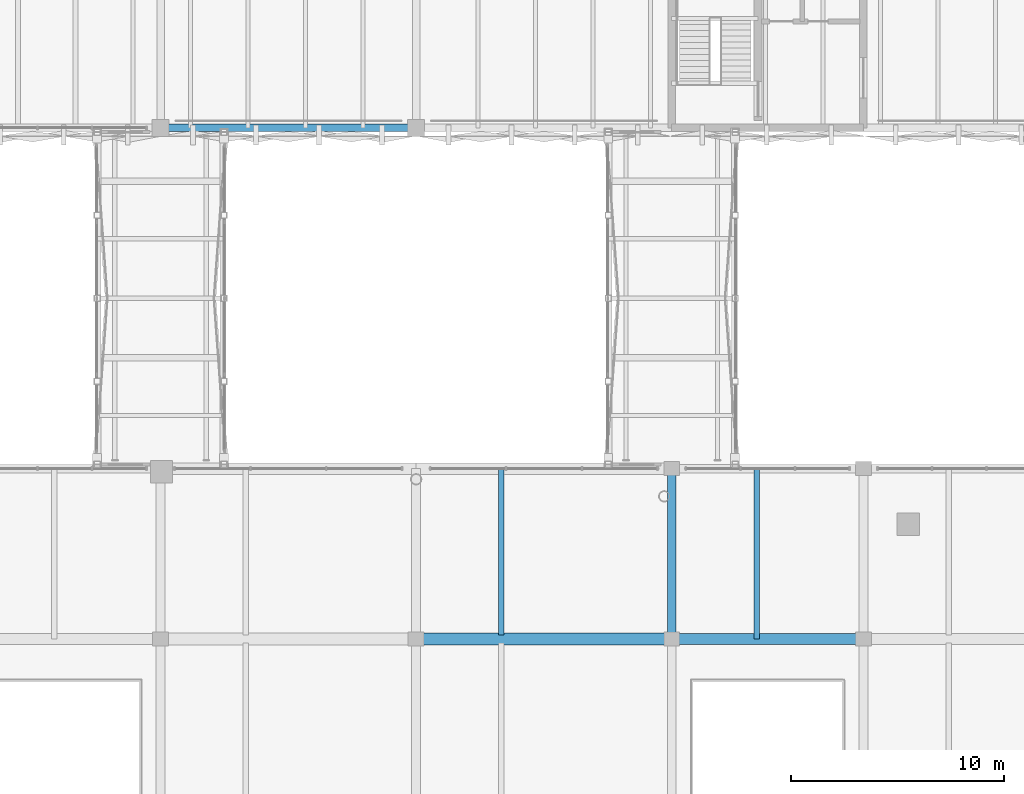
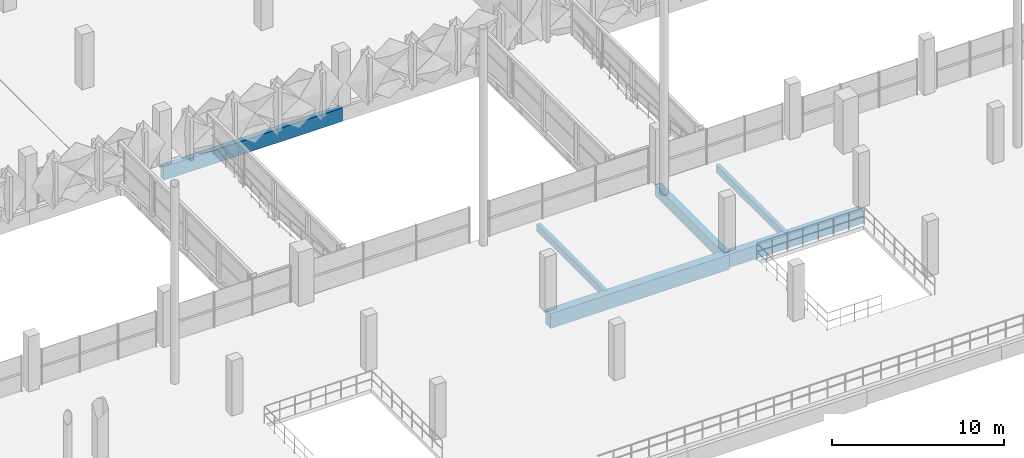
# One storey, part 35 of 123: 6 beams.
"""IFC4 building model written with IfcOpenShell, lengths in metres."""

import ifcopenshell
import ifcopenshell.guid

model = None  # the IFC model being written
_history = None  # IfcOwnerHistory: only IFC2X3 demands one
_inside = {}  # id of a spatial element -> (the spatial element, [elements in it])
_under = {}  # id of a project, library or spatial element -> (it, [spatial elements below it])
_declared = {}  # id of a project -> (the project, [libraries it declares])
_typed = {}  # id of a type object -> (the type object, [elements of that type])
_made_of = {}  # id of a material, layer set ... -> (it, [elements and type objects made of it])


def new_model(schema):
    """Start an empty IFC model of exactly this schema.

    Asked for "IFC4X3", IfcOpenShell would pick the latest addendum, in which some entities
    have other attributes; the version numbers below select the first issue.
    IFC2X3 requires an IfcOwnerHistory on every rooted entity: one is made here for all.
    """
    global model, _history
    if schema == "IFC4X3":
        model = ifcopenshell.file(schema_version=(4, 3, 0, 0))
    else:
        model = ifcopenshell.file(schema=schema)
    _inside.clear()
    _under.clear()
    _declared.clear()
    _typed.clear()
    _made_of.clear()
    _history = None
    if model.schema == "IFC2X3":
        org = make("IfcOrganization", Name="unknown")
        user = make(
            "IfcPersonAndOrganization",
            ThePerson=make("IfcPerson", FamilyName="unknown"),
            TheOrganization=org,
        )
        app = make(
            "IfcApplication",
            ApplicationDeveloper=org,
            Version="unknown",
            ApplicationFullName="unknown",
            ApplicationIdentifier="unknown",
        )
        _history = make(
            "IfcOwnerHistory",
            OwningUser=user,
            OwningApplication=app,
            ChangeAction="ADDED",
            CreationDate=0,
        )
    return model


def make(cls, **values):
    """One entity of the class cls with the attributes given. An attribute that is None is left unset."""
    return model.create_entity(
        cls, **{name: value for name, value in values.items() if value is not None}
    )


def rooted(cls, **values):
    """An entity with a GlobalId (a new one), such as an element, a storey or a relation."""
    return make(cls, GlobalId=ifcopenshell.guid.new(), OwnerHistory=_history, **values)


def si_unit(unit_type, name, prefix=None):
    """IfcSIUnit, for example si_unit("LENGTHUNIT", "METRE", prefix="MILLI")."""
    return make("IfcSIUnit", UnitType=unit_type, Prefix=prefix, Name=name)


def derived_unit(unit_type, elements):
    """IfcDerivedUnit: a product of units, each with its exponent."""
    return make(
        "IfcDerivedUnit",
        Elements=[
            make("IfcDerivedUnitElement", Unit=unit, Exponent=power)
            for unit, power in elements
        ],
        UnitType=unit_type,
    )


def assignment(units):
    """IfcUnitAssignment: the units of a project."""
    return None if units is None else make("IfcUnitAssignment", Units=units)


def point(xyz):
    """IfcCartesianPoint."""
    return None if xyz is None else make("IfcCartesianPoint", Coordinates=xyz)


def direction(xyz):
    """IfcDirection."""
    return None if xyz is None else make("IfcDirection", DirectionRatios=xyz)


def frame(location, z_axis=None, x_axis=None):
    """IfcAxis2Placement3D, a coordinate frame: its origin and axes. An axis left out is left unset."""
    return make(
        "IfcAxis2Placement3D",
        Location=point(location),
        Axis=direction(z_axis),
        RefDirection=direction(x_axis),
    )


def frame_2d(location, x_axis=None):
    """IfcAxis2Placement2D, a coordinate frame in the plane: its origin and x axis."""
    return make(
        "IfcAxis2Placement2D", Location=point(location), RefDirection=direction(x_axis)
    )


def origin():
    """The frame at (0, 0, 0) with its axes left unset."""
    return frame((0.0, 0.0, 0.0))


def origin_2d():
    """The frame at (0, 0) in the plane with its x axis left unset."""
    return frame_2d((0.0, 0.0))


def place(relative_to, where):
    """IfcLocalPlacement: puts the frame where relative to a parent placement (None: the world)."""
    return make(
        "IfcLocalPlacement", PlacementRelTo=relative_to, RelativePlacement=where
    )


def context(
    kind, dimensions, precision=None, world=None, true_north=None, identifier=None
):
    """IfcGeometricRepresentationContext, for example the 3D "Model" context."""
    return make(
        "IfcGeometricRepresentationContext",
        ContextIdentifier=identifier,
        ContextType=kind,
        CoordinateSpaceDimension=dimensions,
        Precision=precision,
        WorldCoordinateSystem=world,
        TrueNorth=true_north,
    )


def subcontext(parent, identifier, kind, view, scale=None):
    """IfcGeometricRepresentationSubContext, for example "Body" below "Model"."""
    return make(
        "IfcGeometricRepresentationSubContext",
        ContextIdentifier=identifier,
        ContextType=kind,
        ParentContext=parent,
        TargetScale=scale,
        TargetView=view,
    )


def project(units=None, contexts=None):
    """IfcProject with its units and contexts."""
    return rooted(
        "IfcProject",
        Name="project",
        RepresentationContexts=contexts,
        UnitsInContext=assignment(units),
    )


def spatial(cls, under=None, at=None, **own):
    """A site, building, storey or space (cls), placed at a placement, below another one or the project."""
    s = rooted(cls, ObjectPlacement=at, **own)
    if under is not None:
        _under.setdefault(under.id(), (under, []))[1].append(s)
    return s


def profile(cls, at=None, kind="AREA", **sizes):
    """A parametric profile (cls). Its sizes go by their IFC names, for example OverallWidth=200.0."""
    return make(cls, ProfileType=kind, Position=at, **sizes)


def rectangle(**sizes):
    """IfcRectangleProfileDef."""
    return profile("IfcRectangleProfileDef", **sizes)


def extrude(swept, where, along, depth):
    """IfcExtrudedAreaSolid: the profile swept, set in the frame where, extruded along a direction by depth."""
    return make(
        "IfcExtrudedAreaSolid",
        SweptArea=swept,
        Position=where,
        ExtrudedDirection=direction(along),
        Depth=depth,
    )


def shape(context_of_items, identifier, shape_type, items):
    """IfcShapeRepresentation: the items that make up one representation, for example the "Body"."""
    return make(
        "IfcShapeRepresentation",
        ContextOfItems=context_of_items,
        RepresentationIdentifier=identifier,
        RepresentationType=shape_type,
        Items=items,
    )


def material(Name=None, Category=None):
    """IfcMaterial."""
    return make("IfcMaterial", Name=Name, Category=Category)


def material_profile(
    of_material, cross_section, Name=None, Category=None, Priority=None
):
    """IfcMaterialProfile: a cross section and its material."""
    return make(
        "IfcMaterialProfile",
        Name=Name,
        Material=of_material,
        Profile=cross_section,
        Priority=Priority,
        Category=Category,
    )


def profile_set(profiles, Name=None, composite=None):
    """IfcMaterialProfileSet."""
    return make(
        "IfcMaterialProfileSet",
        Name=Name,
        MaterialProfiles=profiles,
        CompositeProfile=composite,
    )


def made_of(thing, what):
    """Note that an element or type object is made of a material, layer set ...; save() writes the relation."""
    if what is not None:
        _made_of.setdefault(what.id(), (what, []))[1].append(thing)
    return thing


def type_object(cls, material=None, **own):
    """A type object (cls), such as IfcWallType, which elements share."""
    return made_of(rooted(cls, **own), material)


def element(
    cls,
    number,
    at=None,
    inside=None,
    cuts=None,
    type_object=None,
    material=None,
    context=None,
    identifier="Body",
    shape_type=None,
    held_by="IfcProductDefinitionShape",
    body=None,
    shapes=None,
    **own,
):
    """One element of the class cls, such as IfcWall. Its Tag is "e" and its number.

    at: its placement. inside: the storey or other place that contains it. cuts: it is an
    opening in that element (IfcRelVoidsElement). A single representation is given by context,
    identifier, shape_type and body (its items); several are given by shapes. held_by: the class
    of the entity that holds the representations. save() writes the other relations.
    """
    e = rooted(cls, Tag="e%d" % number, ObjectPlacement=at, **own)
    if body is not None:
        shapes = [shape(context, identifier, shape_type, body)]
    if shapes is not None:
        e.Representation = make(held_by, Representations=shapes)
    if inside is not None:
        _inside.setdefault(inside.id(), (inside, []))[1].append(e)
    if cuts is not None:
        rooted(
            "IfcRelVoidsElement", RelatingBuildingElement=cuts, RelatedOpeningElement=e
        )
    if type_object is not None:
        _typed.setdefault(type_object.id(), (type_object, []))[1].append(e)
    return made_of(e, material)


def aggregate(whole, parts):
    """IfcRelAggregates: a whole, such as a stair, and the parts it consists of."""
    return rooted("IfcRelAggregates", RelatingObject=whole, RelatedObjects=parts)


def save(model, path):
    """Write the relations noted so far, then the file.

    IfcRelAggregates (storeys below a building ...), IfcRelContainedInSpatialStructure (elements
    in a storey), IfcRelDefinesByType, IfcRelAssociatesMaterial and IfcRelDeclares: one each for
    every whole, place, type object, material and project.
    """
    for whole, parts in _under.values():
        aggregate(whole, parts)
    for where, things in _inside.values():
        rooted(
            "IfcRelContainedInSpatialStructure",
            RelatedElements=things,
            RelatingStructure=where,
        )
    for kind, things in _typed.values():
        rooted("IfcRelDefinesByType", RelatedObjects=things, RelatingType=kind)
    for what, things in _made_of.values():
        rooted("IfcRelAssociatesMaterial", RelatedObjects=things, RelatingMaterial=what)
    for by, libraries in _declared.values():
        rooted("IfcRelDeclares", RelatingContext=by, RelatedDefinitions=libraries)
    model.write(path)


model = new_model("IFC4")

# Units and contexts
model_context = context("Model", 3, precision=1e-05, world=origin(), true_north=direction((0.0, 1.0)))
body_context = subcontext(model_context, "Body", "Model", "MODEL_VIEW")
ifc_project = project(units=[si_unit("LENGTHUNIT", "METRE"), si_unit("AREAUNIT", "SQUARE_METRE"), si_unit("VOLUMEUNIT", "CUBIC_METRE"), si_unit("PLANEANGLEUNIT", "RADIAN"), si_unit("MASSUNIT", "GRAM", prefix="KILO"), si_unit("THERMODYNAMICTEMPERATUREUNIT", "KELVIN"), derived_unit("THERMALTRANSMITTANCEUNIT", [(si_unit("POWERUNIT", "WATT"), 1), (si_unit("AREAUNIT", "SQUARE_METRE"), -1), (si_unit("THERMODYNAMICTEMPERATUREUNIT", "KELVIN"), -1)])], contexts=[model_context])

# Site, building, storey
site_placement = place(None, origin())
site = spatial("IfcSite", under=ifc_project, at=site_placement, CompositionType="ELEMENT")
building_placement = place(site_placement, origin())
building = spatial("IfcBuilding", under=site, at=building_placement, Name="Haiyu Intermodal Mobility Hub", CompositionType="ELEMENT")
storey_placement = place(building_placement, frame((0.0, 0.0, 5.60009765625)))
storey = spatial("IfcBuildingStorey", under=building, at=storey_placement, Name="L01", CompositionType="ELEMENT", Elevation=5.60009765625)

# Beams
ifc_material_1 = material(Name="Concrete C40", Category="concrete")
ifc_material_profile_1 = material_profile(ifc_material_1, rectangle(XDim=0.5, YDim=0.949951171875, at=origin_2d()), Name="RCB500x950")
ifc_profile_set_1 = profile_set([ifc_material_profile_1], Name="Concrete C40")
beam_type_1 = type_object("IfcBeamType", Name="BM-CB01", PredefinedType="BEAM", material=ifc_profile_set_1)
beam_1_placement = place(storey_placement, frame((120.0, 80.0, -0.735107421875), z_axis=(1.0, 0.0, 0.0), x_axis=(0.0, 1.0, 0.0)))
element("IfcBeam", 1, at=beam_1_placement, inside=storey, type_object=beam_type_1, Name="BM-V1G-L01-027", PredefinedType="BEAM", context=body_context, shape_type="SweptSolid", body=[
    extrude(rectangle(XDim=0.5, YDim=0.949951171875, at=origin_2d()), origin(), (0.0, 0.0, 1.0), 9.0),
])
ifc_material_profile_2 = material_profile(ifc_material_1, rectangle(XDim=0.550048828125, YDim=1.050048828125, at=origin_2d()), Name="B550x1050")
ifc_profile_set_2 = profile_set([ifc_material_profile_2], Name="Concrete C40")
beam_type_2 = type_object("IfcBeamType", Name="BM-CB12", PredefinedType="BEAM", material=ifc_profile_set_2)
beam_2_placement = place(storey_placement, frame((108.0, 80.0, -0.78515625), z_axis=(1.0, 0.0, 0.0), x_axis=(0.0, 1.0, 0.0)))
element("IfcBeam", 2, at=beam_2_placement, inside=storey, type_object=beam_type_2, Name="BM-V1G-L01-026", PredefinedType="BEAM", context=body_context, shape_type="SweptSolid", body=[
    extrude(rectangle(XDim=0.550048828125, YDim=1.050048828125, at=origin_2d()), origin(), (0.0, 0.0, 1.0), 12.0),
])
ifc_material_profile_3 = material_profile(ifc_material_1, rectangle(XDim=0.419921875, YDim=0.780029296875, at=origin_2d()), Name="B420x780")
ifc_profile_set_3 = profile_set([ifc_material_profile_3], Name="Concrete C40")
beam_type_3 = type_object("IfcBeamType", Name="BM-CB14", PredefinedType="BEAM", material=ifc_profile_set_3)
beam_3_placement = place(storey_placement, frame((120.0, 80.0, -0.650146484375), z_axis=(0.0, 1.0, 0.0), x_axis=(-1.0, 0.0, 0.0)))
element("IfcBeam", 3, at=beam_3_placement, inside=storey, type_object=beam_type_3, Name="BM-V1T-L01-021", PredefinedType="BEAM", context=body_context, shape_type="SweptSolid", body=[
    extrude(rectangle(XDim=0.419921875, YDim=0.780029296875, at=origin_2d()), origin(), (0.0, 0.0, 1.0), 8.0),
])
ifc_material_profile_4 = material_profile(ifc_material_1, rectangle(XDim=0.260009765625, YDim=0.52001953125, at=origin_2d()), Name="B260x520")
ifc_profile_set_4 = profile_set([ifc_material_profile_4], Name="Concrete C40")
beam_type_4 = type_object("IfcBeamType", Name="BM-CB18", PredefinedType="JOIST", material=ifc_profile_set_4)
beam_4_placement = place(storey_placement, frame((112.0, 80.195068359375, -0.52001953125), z_axis=(0.0, 1.0, 0.0), x_axis=(-1.0, 0.0, 0.0)))
element("IfcBeam", 4, at=beam_4_placement, inside=storey, type_object=beam_type_4, Name="BM-V1J-L01-018", PredefinedType="JOIST", context=body_context, shape_type="SweptSolid", body=[
    extrude(rectangle(XDim=0.260009765625, YDim=0.52001953125, at=origin_2d()), origin(), (0.0, 0.0, 1.0), 7.804931640625),
])
beam_5_placement = place(storey_placement, frame((124.0, 80.0, -0.52001953125), z_axis=(0.0, 1.0, 0.0), x_axis=(-1.0, 0.0, 0.0)))
element("IfcBeam", 5, at=beam_5_placement, inside=storey, type_object=beam_type_4, Name="BM-V1J-L01-021", PredefinedType="JOIST", context=body_context, shape_type="SweptSolid", body=[
    extrude(rectangle(XDim=0.260009765625, YDim=0.52001953125, at=origin_2d()), origin(), (0.0, 0.0, 1.0), 8.0),
])
ifc_material_2 = material(Name="Precast concrete C40", Category="concrete")
ifc_material_profile_5 = material_profile(ifc_material_2, rectangle(XDim=0.35009765625, YDim=0.949951171875, at=origin_2d()), Name="PC350x950")
ifc_profile_set_5 = profile_set([ifc_material_profile_5], Name="Precast concrete C40")
beam_type_5 = type_object("IfcBeamType", Name="BM-SP01", PredefinedType="SPANDREL", material=ifc_profile_set_5)
beam_6_placement = place(storey_placement, frame((96.0, 104.0, -0.75), z_axis=(1.0, 0.0, 0.0), x_axis=(0.0, 1.0, 0.0)))
element("IfcBeam", 6, at=beam_6_placement, inside=storey, type_object=beam_type_5, Name="BM-V4G-L01-010", PredefinedType="SPANDREL", context=body_context, shape_type="SweptSolid", body=[
    extrude(rectangle(XDim=0.35009765625, YDim=0.949951171875, at=origin_2d()), origin(), (0.0, 0.0, 1.0), 12.0),
])

save(model, "model.ifc")
